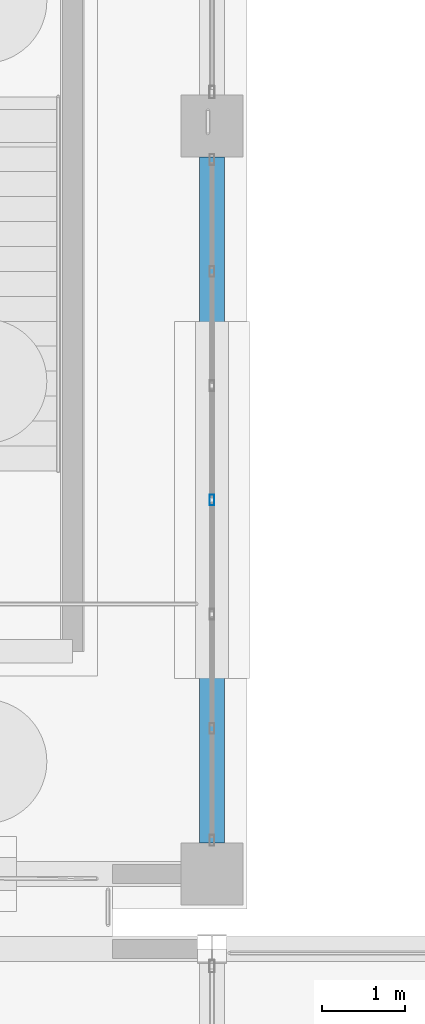
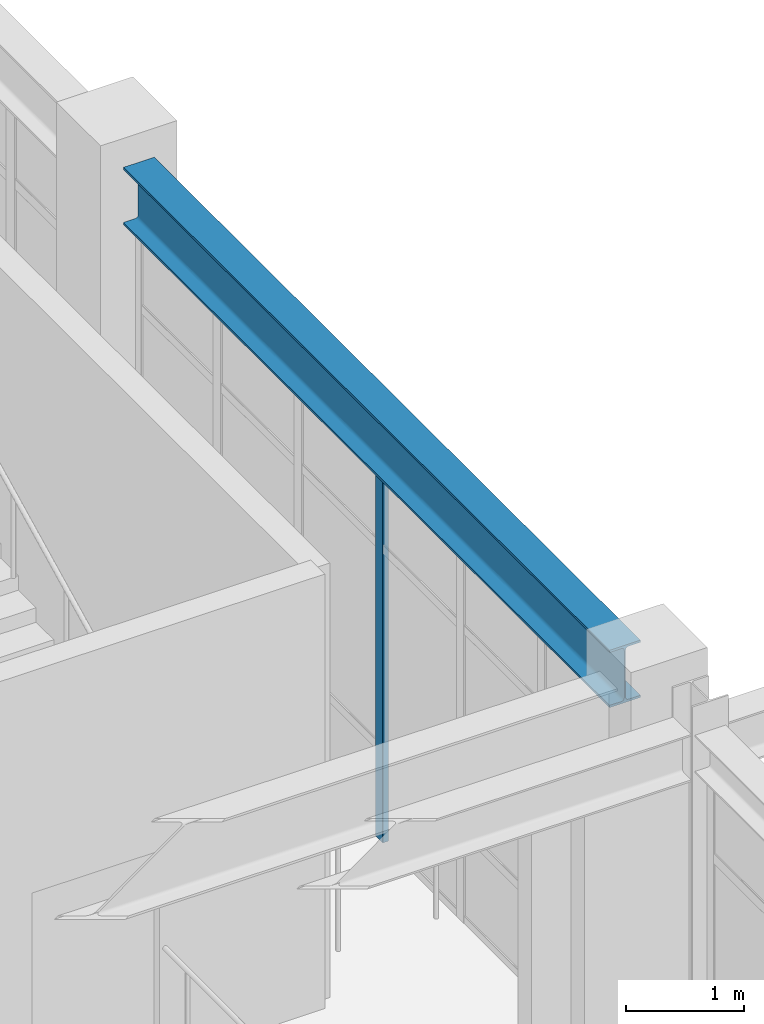
# One storey, part 40 of 139: 1 beam, 1 member, 1 element without a shape of its own.
"""IFC4 building model written with IfcOpenShell, lengths in metres."""

from ifc_helpers import new_model, si_unit, direction, frame, origin, origin_2d, place, context, subcontext, project, spatial, hollow_rectangle, i_section, extrude, material, material_profile, profile_set, type_object, element, aggregate, save


model = new_model("IFC4")

# Units and contexts
model_context = context("Model", 3, precision=1e-05, world=origin(), true_north=direction((0.0, 1.0)))
body_context = subcontext(model_context, "Body", "Model", "MODEL_VIEW")
ifc_project = project(units=[si_unit("LENGTHUNIT", "METRE"), si_unit("AREAUNIT", "SQUARE_METRE"), si_unit("VOLUMEUNIT", "CUBIC_METRE"), si_unit("PLANEANGLEUNIT", "RADIAN"), si_unit("MASSUNIT", "GRAM", prefix="KILO")], contexts=[model_context])

# Site, building, storey
site_placement = place(None, origin())
site = spatial("IfcSite", under=ifc_project, at=site_placement, CompositionType="ELEMENT")
building_placement = place(site_placement, origin())
building = spatial("IfcBuilding", under=site, at=building_placement, Name="Canglan Escarpment Cableway Terminal", CompositionType="ELEMENT")
storey_placement = place(building_placement, frame((0.0, 0.0, 14.39990234375)))
storey = spatial("IfcBuildingStorey", under=building, at=storey_placement, Name="L03", CompositionType="ELEMENT", Elevation=14.39990234375)

# Beam
ifc_material_1 = material(Name="Steel Q355C", Category="steel")
ifc_material_profile_1 = material_profile(ifc_material_1, i_section(OverallWidth=0.302001953125, OverallDepth=0.593994140625, WebThickness=0.013916015625, FlangeThickness=0.02294921875, FilletRadius=0.028076171875, at=origin_2d()), Name="HM 594x302x14x23")
ifc_profile_set_1 = profile_set([ifc_material_profile_1], Name="Steel Q355C")
beam_type = type_object("IfcBeamType", Name="BM-HM594", PredefinedType="BEAM", material=ifc_profile_set_1)
beam_placement = place(storey_placement, frame((166.39990234375, 34.375, 4.203125), z_axis=(0.0, 1.0, 0.0), x_axis=(-1.0, 0.0, 0.0)))
element("IfcBeam", 1, at=beam_placement, inside=storey, type_object=beam_type, Name="Primary transverse girder B-07", PredefinedType="BEAM", context=body_context, shape_type="SweptSolid", body=[
    extrude(i_section(OverallWidth=0.302001953125, OverallDepth=0.593994140625, WebThickness=0.013916015625, FlangeThickness=0.02294921875, FilletRadius=0.028076171875, at=origin_2d()), origin(), (0.0, 0.0, 1.0), 8.25),
])

# Curtain wall, member
ifc_material_2 = material(Name="Anodized bronze aluminium and Low-E double glazing", Category="aluminium")
curtain_wall_type = type_object("IfcCurtainWallType", Name="CW-BAY-8250x3900", PredefinedType="NOTDEFINED", material=ifc_material_2)
curtain_wall_placement = place(storey_placement, origin())
curtain_wall = element("IfcCurtainWall", 2, at=curtain_wall_placement, inside=storey, type_object=curtain_wall_type, Name="Classical bay-between-piers glazed curtain wall CW-62", PredefinedType="NOTDEFINED")
ifc_material_3 = material(Name="Thermally broken anodized aluminium 6063-T6", Category="aluminium")
ifc_material_profile_2 = material_profile(ifc_material_3, hollow_rectangle(XDim=0.06005859375, YDim=0.1298828125, WallThickness=0.0029296875, InnerFilletRadius=0.0029296875, OuterFilletRadius=0.006103515625, at=origin_2d()), Name="ALU-MULL 60x130x3")
ifc_profile_set_2 = profile_set([ifc_material_profile_2], Name="Thermally broken anodized aluminium 6063-T6")
member_type = type_object("IfcMemberType", Name="CWM-01", PredefinedType="MULLION", material=ifc_profile_set_2)
member_placement = place(storey_placement, frame((166.39990234375, 38.5, 0.0), z_axis=(0.0, 0.0, 1.0), x_axis=(-1.0, 0.0, 0.0)))
member = element("IfcMember", 3, at=member_placement, type_object=member_type, Name="CW-62 mullion 4", PredefinedType="MULLION", context=body_context, shape_type="SweptSolid", body=[
    extrude(hollow_rectangle(XDim=0.06005859375, YDim=0.1298828125, WallThickness=0.0029296875, InnerFilletRadius=0.0029296875, OuterFilletRadius=0.006103515625, at=origin_2d()), origin(), (0.0, 0.0, 1.0), 3.89111328125),
])
aggregate(curtain_wall, [member])

save(model, "model.ifc")
